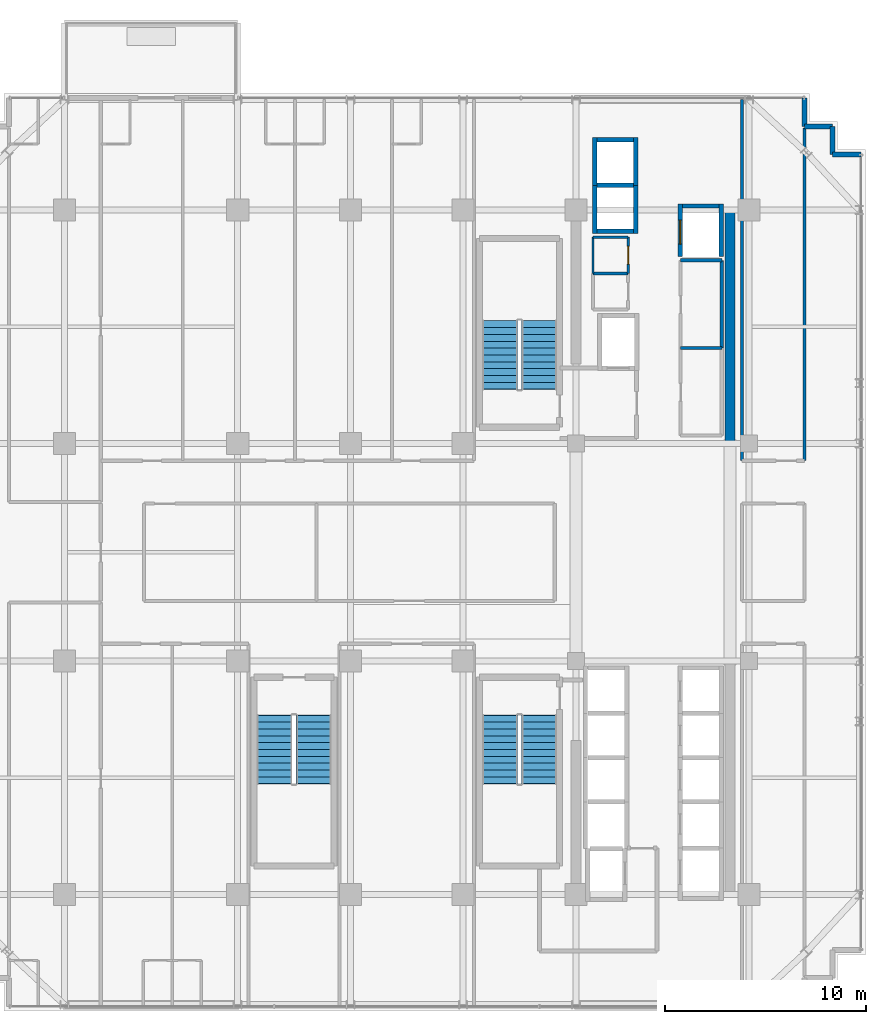
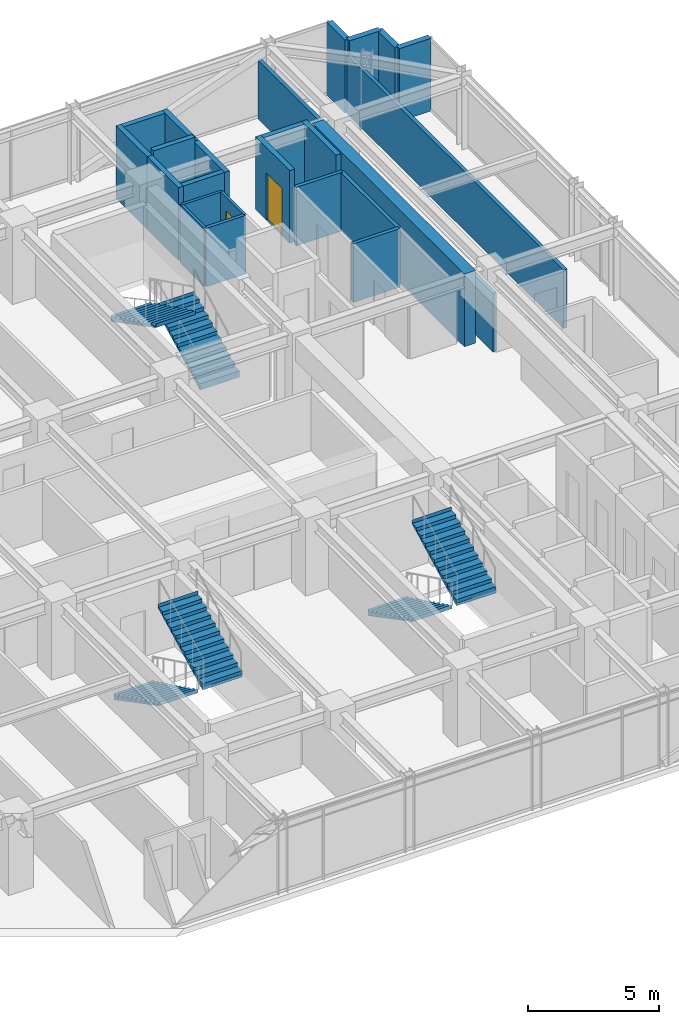
# One storey, part 29 of 32: 24 walls, 6 stair flights, 2 doors, 2 openings, 3 elements without a shape of their own.
"""IFC4 building model written with IfcOpenShell, lengths in metres."""

from ifc_helpers import new_model, si_unit, direction, frame, frame_2d, origin, place, context, subcontext, project, spatial, polyline, rectangle, outline, extrude, source, transform, mapped, material, layer, layer_set, type_object, element, fill, aggregate, save


model = new_model("IFC4")

# Units and contexts
model_context = context("Model", 3, precision=1e-05, world=origin(), true_north=direction((0.0, 1.0)))
body_context = subcontext(model_context, "Body", "Model", "MODEL_VIEW")
ifc_project = project(units=[si_unit("LENGTHUNIT", "METRE"), si_unit("AREAUNIT", "SQUARE_METRE"), si_unit("VOLUMEUNIT", "CUBIC_METRE"), si_unit("PLANEANGLEUNIT", "RADIAN"), si_unit("MASSUNIT", "GRAM", prefix="KILO")], contexts=[model_context])

# Site, building, storey
site_placement = place(None, origin())
site = spatial("IfcSite", under=ifc_project, at=site_placement, CompositionType="ELEMENT")
building_placement = place(site_placement, origin())
building = spatial("IfcBuilding", under=site, at=building_placement, Name="Nahalor Promenade Grand Hotel", CompositionType="ELEMENT")
storey_placement = place(building_placement, frame((0.0, 0.0, 152.64990234375)))
storey = spatial("IfcBuildingStorey", under=building, at=storey_placement, Name="L38", CompositionType="ELEMENT", Elevation=152.64990234375)

# Walls
ifc_material_1 = material(Name="Concrete B-60 (C50/60)", Category="concrete")
ifc_layer_1 = layer(ifc_material_1, 0.5)
ifc_layer_set_1 = layer_set([ifc_layer_1], Name="Concrete B-60 (C50/60)")
wall_type_1 = type_object("IfcWallType", Name="Wall-CoreShear-500", PredefinedType="SHEAR", material=ifc_layer_set_1)
shared_shape_1 = source(origin(), body_context, "Body", "SweptSolid", [
    extrude(rectangle(XDim=11.60009765625, YDim=0.5, at=frame_2d((5.800048828125, 0.0))), origin(), (0.0, 0.0, 1.0), 3.39013671875),
])
wall_1_placement = place(storey_placement, frame((16.050048828125, 5.39990234375, 0.0), z_axis=(0.0, 0.0, 1.0), x_axis=(0.0, 1.0, 0.0)))
element("IfcWall", 1, at=wall_1_placement, inside=storey, type_object=wall_type_1, Name="CWALL-L38-NE", PredefinedType="SHEAR", context=body_context, shape_type="MappedRepresentation", body=[
    mapped(shared_shape_1, transform((0.0, 0.0, 0.0), scale=1.0)),
])
ifc_material_2 = material(Name="Concrete B-50 (C40/50)", Category="concrete")
ifc_layer_2 = layer(ifc_material_2, 0.219970703125)
ifc_layer_set_2 = layer_set([ifc_layer_2], Name="Concrete B-50 (C40/50)")
wall_type_2 = type_object("IfcWallType", Name="Wall-LiftShaft-220", PredefinedType="SHEAR", material=ifc_layer_set_2)
shared_shape_2 = source(origin(), body_context, "Body", "SweptSolid", [
    extrude(rectangle(XDim=1.820068359375, YDim=0.219970703125, at=frame_2d((0.91015625, 0.0))), origin(), (0.0, 0.0, 1.0), 3.650146484375),
])
wall_2_placement = place(storey_placement, frame((9.43994140625, 18.22509765625, 0.0), z_axis=(0.0, 0.0, 1.0), x_axis=(1.0, 0.0, 0.0)))
element("IfcWall", 2, at=wall_2_placement, inside=storey, type_object=wall_type_2, Name="L38 Lift OB1 Hoistway Wall N", PredefinedType="SHEAR", context=body_context, shape_type="MappedRepresentation", body=[
    mapped(shared_shape_2, transform((0.0, 0.0, 0.0), scale=1.0)),
])
shared_shape_3 = source(origin(), body_context, "Body", "SweptSolid", [
    extrude(rectangle(XDim=1.820068359375, YDim=0.219970703125, at=frame_2d((0.91015625, 0.0))), origin(), (0.0, 0.0, 1.0), 3.39013671875),
])
for number, where, z_axis, x_axis, name in (
    (3, (9.43994140625, 15.949951171875, 0.0), (0.0, 0.0, 1.0), (1.0, 0.0, 0.0), "L38 Lift OB1 Hoistway Wall S"),
    (4, (9.43994140625, 20.5, 0.0), (0.0, 0.0, 1.0), (1.0, 0.0, 0.0), "L38 Lift OB2 Hoistway Wall N"),
    (5, (13.68994140625, 17.199951171875, 0.0), (0.0, 0.0, 1.0), (1.0, 0.0, 0.0), "L38 Lift SV1 Hoistway Wall N"),
):
    element("IfcWall", number, at=place(storey_placement, frame(where, z_axis=z_axis, x_axis=x_axis)), inside=storey, type_object=wall_type_2, Name=name, PredefinedType="SHEAR", context=body_context, shape_type="MappedRepresentation", body=[
        mapped(shared_shape_3, transform((0.0, 0.0, 0.0), scale=1.0)),
    ])
shared_shape_4 = source(origin(), body_context, "Body", "SweptSolid", [
    extrude(rectangle(XDim=2.385009765625, YDim=0.219970703125, at=frame_2d((1.1923828125, 0.0))), origin(), (0.0, 0.0, 1.0), 3.39013671875),
])
for number, where, z_axis, x_axis, name in (
    (6, (9.330078125, 15.840087890625, 0.0), (0.0, 0.0, 1.0), (0.0, 1.0, 0.0), "L38 Lift OB1 Hoistway Wall W"),
    (7, (11.3701171875, 15.840087890625, 0.0), (0.0, 0.0, 1.0), (0.0, 1.0, 0.0), "L38 Lift OB1 Hoistway Wall E"),
    (8, (9.330078125, 18.22509765625, 0.0), (0.0, 0.0, 1.0), (0.0, 1.0, 0.0), "L38 Lift OB2 Hoistway Wall W"),
    (9, (11.3701171875, 18.22509765625, 0.0), (0.0, 0.0, 1.0), (0.0, 1.0, 0.0), "L38 Lift OB2 Hoistway Wall E"),
):
    element("IfcWall", number, at=place(storey_placement, frame(where, z_axis=z_axis, x_axis=x_axis)), inside=storey, type_object=wall_type_2, Name=name, PredefinedType="SHEAR", context=body_context, shape_type="MappedRepresentation", body=[
        mapped(shared_shape_4, transform((0.0, 0.0, 0.0), scale=1.0)),
    ])

# Wall, opening, door
shared_shape_5 = source(origin(), body_context, "Body", "SweptSolid", [
    extrude(rectangle(XDim=2.610107421875, YDim=0.219970703125, at=frame_2d((1.30517578125, 0.0))), origin(), (0.0, 0.0, 1.0), 3.39013671875),
])
wall_3_placement = place(storey_placement, frame((13.580078125, 14.699951171875, 0.0), z_axis=(0.0, 0.0, 1.0), x_axis=(0.0, 1.0, 0.0)))
wall_3 = element("IfcWall", 10, at=wall_3_placement, inside=storey, type_object=wall_type_2, Name="L38 Lift SV1 Hoistway Wall W", PredefinedType="SHEAR", context=body_context, shape_type="MappedRepresentation", body=[
    mapped(shared_shape_5, transform((0.0, 0.0, 0.0), scale=1.0)),
])
opening_1_placement = place(wall_3_placement, frame((0.60009765625, 0.0, 0.0)))
opening_1 = element("IfcOpeningElement", 11, at=opening_1_placement, cuts=wall_3, Name="Opening LD-03", PredefinedType="OPENING", context=body_context, shape_type="SweptSolid", body=[
    extrude(rectangle(XDim=1.199951171875, YDim=2.199951171875, at=frame_2d((0.60009765625, 1.10009765625))), frame((0.0, 0.119873046875, 0.0), z_axis=(0.0, -1.0, 0.0), x_axis=(1.0, 0.0, 0.0)), (0.0, 0.0, 1.0), 0.239990234375),
])
ifc_material_3 = material(Name="Steel S355JR", Category="steel")
door_type_1 = type_object("IfcDoorType", Name="Door-LiftService-1200", OperationType="DOUBLE_DOOR_SLIDING", PredefinedType="DOOR", material=ifc_material_3)
shared_shape_6 = source(origin(), body_context, "Body", "SweptSolid", [
    extrude(rectangle(XDim=1.199951171875, YDim=2.199951171875, at=frame_2d((0.60009765625, 1.10009765625))), frame((0.0, 0.02490234375, 0.0), z_axis=(0.0, -1.0, 0.0), x_axis=(1.0, 0.0, 0.0)), (0.0, 0.0, 1.0), 0.050048828125),
])
door_1_placement = place(opening_1_placement, origin())
door_1 = element("IfcDoor", 12, at=door_1_placement, inside=storey, type_object=door_type_1, Name="DR-LIFT-SV1-L38", OperationType="DOUBLE_DOOR_SLIDING", OverallHeight=2.199951171875, OverallWidth=1.199951171875, PredefinedType="DOOR", context=body_context, shape_type="MappedRepresentation", body=[
    mapped(shared_shape_6, transform((0.0, 0.0, 0.0), scale=1.0)),
])
fill(opening_1, door_1)

# Walls
wall_4_placement = place(storey_placement, frame((15.6201171875, 14.699951171875, 0.0), z_axis=(0.0, 0.0, 1.0), x_axis=(0.0, 1.0, 0.0)))
element("IfcWall", 13, at=wall_4_placement, inside=storey, type_object=wall_type_2, Name="L38 Lift SV1 Hoistway Wall E", PredefinedType="SHEAR", context=body_context, shape_type="MappedRepresentation", body=[
    mapped(shared_shape_5, transform((0.0, 0.0, 0.0), scale=1.0)),
])
ifc_material_4 = material(Name="Concrete B-40 (C32/40)", Category="concrete")
ifc_layer_3 = layer(ifc_material_4, 0.25)
ifc_layer_set_3 = layer_set([ifc_layer_3], Name="Concrete B-40 (C32/40)")
wall_type_3 = type_object("IfcWallType", Name="Wall-BronzePier-250", PredefinedType="STANDARD", material=ifc_layer_set_3)
shared_shape_7 = source(origin(), body_context, "Body", "SweptSolid", [
    extrude(rectangle(XDim=1.400146484375, YDim=0.25, at=frame_2d((0.7001953125, 0.0))), origin(), (0.0, 0.0, 1.0), 3.39013671875),
])
for number, where, z_axis, x_axis, name in (
    (14, (21.159912109375, 19.760009765625, 0.0), (0.0, 0.0, 1.0), (1.0, 0.0, 0.0), "W-L38-SR-05"),
    (15, (19.760009765625, 21.159912109375, 0.0), (0.0, 0.0, 1.0), (0.0, 1.0, 0.0), "W-L38-SR-08"),
):
    element("IfcWall", number, at=place(storey_placement, frame(where, z_axis=z_axis, x_axis=x_axis)), inside=storey, type_object=wall_type_3, Name=name, PredefinedType="STANDARD", context=body_context, shape_type="MappedRepresentation", body=[
        mapped(shared_shape_7, transform((0.0, 0.0, 0.0), scale=1.0)),
    ])
shared_shape_8 = source(origin(), body_context, "Body", "SweptSolid", [
    extrude(rectangle(XDim=1.39990234375, YDim=0.25, at=frame_2d((0.699951171875, 0.0))), origin(), (0.0, 0.0, 1.0), 3.39013671875),
])
for number, where, z_axis, x_axis, name in (
    (16, (21.159912109375, 19.760009765625, 0.0), (0.0, 0.0, 1.0), (0.0, 1.0, 0.0), "W-L38-SR-06"),
    (17, (19.760009765625, 21.159912109375, 0.0), (0.0, 0.0, 1.0), (1.0, 0.0, 0.0), "W-L38-SR-07"),
):
    element("IfcWall", number, at=place(storey_placement, frame(where, z_axis=z_axis, x_axis=x_axis)), inside=storey, type_object=wall_type_3, Name=name, PredefinedType="STANDARD", context=body_context, shape_type="MappedRepresentation", body=[
        mapped(shared_shape_8, transform((0.0, 0.0, 0.0), scale=1.0)),
    ])
ifc_material_5 = material(Name="Acoustic Mineral Gypsum", Category="gypsum")
ifc_layer_4 = layer(ifc_material_5, 0.14990234375)
ifc_layer_set_4 = layer_set([ifc_layer_4], Name="Acoustic Mineral Gypsum")
wall_type_4 = type_object("IfcWallType", Name="Wall-PartService-150", PredefinedType="PARTITIONING", material=ifc_layer_set_4)
shared_shape_9 = source(origin(), body_context, "Body", "SweptSolid", [
    extrude(rectangle(XDim=1.75, YDim=0.14990234375, at=frame_2d((0.875, 0.0))), origin(), (0.0, 0.0, 1.0), 2.72998046875),
])
wall_5_placement = place(storey_placement, frame((9.25, 13.85009765625, 0.0), z_axis=(0.0, 0.0, 1.0), x_axis=(1.0, 0.0, 0.0)))
element("IfcWall", 18, at=wall_5_placement, inside=storey, type_object=wall_type_4, Name="W-L38-CK2A-N", PredefinedType="PARTITIONING", context=body_context, shape_type="MappedRepresentation", body=[
    mapped(shared_shape_9, transform((0.0, 0.0, 0.0), scale=1.0)),
])
ifc_layer_5 = layer(ifc_material_5, 0.159912109375)
ifc_layer_set_5 = layer_set([ifc_layer_5], Name="Acoustic Mineral Gypsum")
wall_type_5 = type_object("IfcWallType", Name="Wall-PartCorridor-160", PredefinedType="PARTITIONING", material=ifc_layer_set_5)
shared_shape_10 = source(origin(), body_context, "Body", "SweptSolid", [
    extrude(rectangle(XDim=2.0498046875, YDim=0.159912109375, at=frame_2d((1.02490234375, 0.0))), origin(), (0.0, 0.0, 1.0), 2.72998046875),
])
for number, where, z_axis, x_axis, name in (
    (19, (13.60009765625, 10.14990234375, 0.0), (0.0, 0.0, 1.0), (1.0, 0.0, 0.0), "W-L38-FRB1A-N"),
    (20, (13.60009765625, 14.5, 0.0), (0.0, 0.0, 1.0), (1.0, 0.0, 0.0), "W-L38-FRB1B-N"),
):
    element("IfcWall", number, at=place(storey_placement, frame(where, z_axis=z_axis, x_axis=x_axis)), inside=storey, type_object=wall_type_5, Name=name, PredefinedType="PARTITIONING", context=body_context, shape_type="MappedRepresentation", body=[
        mapped(shared_shape_10, transform((0.0, 0.0, 0.0), scale=1.0)),
    ])
shared_shape_11 = source(origin(), body_context, "Body", "SweptSolid", [
    extrude(rectangle(XDim=17.949951171875, YDim=0.159912109375, at=frame_2d((8.97509765625, 0.0))), origin(), (0.0, 0.0, 1.0), 2.72998046875),
])
wall_6_placement = place(storey_placement, frame((16.64990234375, 4.550048828125, 0.0), z_axis=(0.0, 0.0, 1.0), x_axis=(0.0, 1.0, 0.0)))
element("IfcWall", 21, at=wall_6_placement, inside=storey, type_object=wall_type_5, Name="W-L38-ENE-W", PredefinedType="PARTITIONING", context=body_context, shape_type="MappedRepresentation", body=[
    mapped(shared_shape_11, transform((0.0, 0.0, 0.0), scale=1.0)),
])
shared_shape_12 = source(origin(), body_context, "Body", "SweptSolid", [
    extrude(rectangle(XDim=16.530029296875, YDim=0.159912109375, at=frame_2d((8.26513671875, 0.0))), origin(), (0.0, 0.0, 1.0), 2.72998046875),
])
wall_7_placement = place(storey_placement, frame((19.760009765625, 4.550048828125, 0.0), z_axis=(0.0, 0.0, 1.0), x_axis=(0.0, 1.0, 0.0)))
element("IfcWall", 22, at=wall_7_placement, inside=storey, type_object=wall_type_5, Name="W-L38-ENE-E", PredefinedType="PARTITIONING", context=body_context, shape_type="MappedRepresentation", body=[
    mapped(shared_shape_12, transform((0.0, 0.0, 0.0), scale=1.0)),
])
ifc_layer_6 = layer(ifc_material_5, 0.1201171875)
ifc_layer_set_6 = layer_set([ifc_layer_6], Name="Acoustic Mineral Gypsum")
wall_type_6 = type_object("IfcWallType", Name="Wall-PartBath-120", PredefinedType="PARTITIONING", material=ifc_layer_set_6)
shared_shape_13 = source(origin(), body_context, "Body", "SweptSolid", [
    extrude(rectangle(XDim=1.75, YDim=0.1201171875, at=frame_2d((0.875, 0.0))), origin(), (0.0, 0.0, 1.0), 2.72998046875),
])
wall_8_placement = place(storey_placement, frame((9.25, 15.64990234375, 0.0), z_axis=(0.0, 0.0, 1.0), x_axis=(1.0, 0.0, 0.0)))
element("IfcWall", 23, at=wall_8_placement, inside=storey, type_object=wall_type_6, Name="W-L38-CK2B-N", PredefinedType="PARTITIONING", context=body_context, shape_type="MappedRepresentation", body=[
    mapped(shared_shape_13, transform((0.0, 0.0, 0.0), scale=1.0)),
])
shared_shape_14 = source(origin(), body_context, "Body", "SweptSolid", [
    extrude(rectangle(XDim=1.7998046875, YDim=0.1201171875, at=frame_2d((0.89990234375, 0.0))), origin(), (0.0, 0.0, 1.0), 2.72998046875),
])
wall_9_placement = place(storey_placement, frame((9.25, 13.85009765625, 0.0), z_axis=(0.0, 0.0, 1.0), x_axis=(0.0, 1.0, 0.0)))
element("IfcWall", 24, at=wall_9_placement, inside=storey, type_object=wall_type_6, Name="W-L38-CK2B-W", PredefinedType="PARTITIONING", context=body_context, shape_type="MappedRepresentation", body=[
    mapped(shared_shape_14, transform((0.0, 0.0, 0.0), scale=1.0)),
])

# Wall, opening, door
wall_10_placement = place(storey_placement, frame((11.0, 13.85009765625, 0.0), z_axis=(0.0, 0.0, 1.0), x_axis=(0.0, 1.0, 0.0)))
wall_10 = element("IfcWall", 25, at=wall_10_placement, inside=storey, type_object=wall_type_6, Name="W-L38-CK2B-E", PredefinedType="PARTITIONING", context=body_context, shape_type="MappedRepresentation", body=[
    mapped(shared_shape_14, transform((0.0, 0.0, 0.0), scale=1.0)),
])
opening_2_placement = place(wall_10_placement, frame((0.4599609375, 0.0, 0.0)))
opening_2 = element("IfcOpeningElement", 26, at=opening_2_placement, cuts=wall_10, Name="Opening D-03", PredefinedType="OPENING", context=body_context, shape_type="SweptSolid", body=[
    extrude(rectangle(XDim=0.8798828125, YDim=2.10009765625, at=frame_2d((0.43994140625, 1.050048828125))), frame((0.0, 0.070068359375, 0.0), z_axis=(0.0, -1.0, 0.0), x_axis=(1.0, 0.0, 0.0)), (0.0, 0.0, 1.0), 0.14013671875),
])
ifc_material_6 = material(Name="Fire-Rated Timber Composite", Category="wood")
door_type_2 = type_object("IfcDoorType", Name="Door-BathSwing-880", OperationType="NOTDEFINED", PredefinedType="DOOR", material=ifc_material_6)
shared_shape_15 = source(origin(), body_context, "Body", "SweptSolid", [
    extrude(rectangle(XDim=0.8798828125, YDim=2.10009765625, at=frame_2d((0.43994140625, 1.050048828125))), frame((0.0, 0.02490234375, 0.0), z_axis=(0.0, -1.0, 0.0), x_axis=(1.0, 0.0, 0.0)), (0.0, 0.0, 1.0), 0.050048828125),
])
door_2_placement = place(opening_2_placement, origin())
door_2 = element("IfcDoor", 27, at=door_2_placement, inside=storey, type_object=door_type_2, Name="DR-L38-CK2B", OperationType="SINGLE_SWING_RIGHT", OverallHeight=2.10009765625, OverallWidth=0.8798828125, PredefinedType="DOOR", context=body_context, shape_type="MappedRepresentation", body=[
    mapped(shared_shape_15, transform((0.0, 0.0, 0.0), scale=1.0)),
])
fill(opening_2, door_2)

# Wall
shared_shape_16 = source(origin(), body_context, "Body", "SweptSolid", [
    extrude(rectangle(XDim=4.35009765625, YDim=0.159912109375, at=frame_2d((2.175048828125, 0.0))), origin(), (0.0, 0.0, 1.0), 2.72998046875),
])
wall_11_placement = place(storey_placement, frame((15.64990234375, 10.14990234375, 0.0), z_axis=(0.0, 0.0, 1.0), x_axis=(0.0, 1.0, 0.0)))
element("IfcWall", 28, at=wall_11_placement, inside=storey, type_object=wall_type_5, Name="W-L38-FRB1B-E", PredefinedType="PARTITIONING", context=body_context, shape_type="MappedRepresentation", body=[
    mapped(shared_shape_16, transform((0.0, 0.0, 0.0), scale=1.0)),
])

# Stair, stair flights
stair_type_1 = type_object("IfcStairType", Name="Stair-ST1", PredefinedType="HALF_TURN_STAIR", material=ifc_material_2)
stair_1_placement = place(storey_placement, origin())
stair_1 = element("IfcStair", 29, at=stair_1_placement, inside=storey, type_object=stair_type_1, Name="L38 ST1", PredefinedType="HALF_TURN_STAIR")
ifc_layer_7 = layer(ifc_material_2, 0.179931640625)
ifc_layer_set_7 = layer_set([ifc_layer_7], Name="Concrete B-50 (C40/50)")
stair_flight_type_1 = type_object("IfcStairFlightType", Name="Flight-ST1", PredefinedType="STRAIGHT", material=ifc_layer_set_7)
shared_shape_17 = source(origin(), body_context, "Body", "SweptSolid", [
    extrude(outline(polyline([(-0.00390625, -0.1201171875), (-0.00390625, 0.0), (0.0, 0.0), (0.0, 0.166015625), (0.340087890625, 0.166015625), (0.340087890625, 0.331787109375), (0.679931640625, 0.331787109375), (0.679931640625, 0.497802734375), (1.02001953125, 0.497802734375), (1.02001953125, 0.66357421875), (1.360107421875, 0.66357421875), (1.360107421875, 0.82958984375), (1.699951171875, 0.82958984375), (1.699951171875, 0.995361328125), (2.0400390625, 0.995361328125), (2.0400390625, 1.161376953125), (2.3798828125, 1.161376953125), (2.3798828125, 1.327392578125), (2.719970703125, 1.327392578125), (2.719970703125, 1.4931640625), (3.06005859375, 1.4931640625), (3.06005859375, 1.6591796875), (3.39990234375, 1.6591796875), (3.39990234375, 1.824951171875), (3.404052734375, 1.824951171875), (3.404052734375, 1.64501953125), (0.02001953125, -0.1201171875), (-0.00390625, -0.1201171875)])), frame((0.0, 0.875, 0.0), z_axis=(0.0, -1.0, 0.0), x_axis=(1.0, 0.0, 0.0)), (0.0, 0.0, 1.0), 1.75),
])
stair_flight_1_placement = place(storey_placement, frame((6.574951171875, 8.10009765625, 0.0), z_axis=(0.0, 0.0, 1.0), x_axis=(0.0, 1.0, 0.0)))
stair_flight_1 = element("IfcStairFlight", 30, at=stair_flight_1_placement, type_object=stair_flight_type_1, Name="ST1 flight 1", NumberOfRisers=11, NumberOfTreads=10, PredefinedType="STRAIGHT", RiserHeight=0.165909091, TreadLength=0.34, context=body_context, shape_type="MappedRepresentation", body=[
    mapped(shared_shape_17, transform((0.0, 0.0, 0.0), scale=1.0)),
])
stair_flight_2_placement = place(storey_placement, frame((4.625, 11.5, 1.8251953125), z_axis=(0.0, 0.0, 1.0), x_axis=(0.0, -1.0, 0.0)))
stair_flight_2 = element("IfcStairFlight", 31, at=stair_flight_2_placement, type_object=stair_flight_type_1, Name="ST1 flight 2", NumberOfRisers=11, NumberOfTreads=10, PredefinedType="STRAIGHT", RiserHeight=0.165909091, TreadLength=0.34, context=body_context, shape_type="MappedRepresentation", body=[
    mapped(shared_shape_17, transform((0.0, 0.0, 0.0), scale=1.0)),
])
aggregate(stair_1, [stair_flight_1, stair_flight_2])

stair_type_2 = type_object("IfcStairType", Name="Stair-ST2", PredefinedType="HALF_TURN_STAIR", material=ifc_material_2)
stair_2_placement = place(storey_placement, origin())
stair_2 = element("IfcStair", 32, at=stair_2_placement, inside=storey, type_object=stair_type_2, Name="L38 ST2", PredefinedType="HALF_TURN_STAIR")
ifc_layer_8 = layer(ifc_material_2, 0.18994140625)
ifc_layer_set_8 = layer_set([ifc_layer_8], Name="Concrete B-50 (C40/50)")
stair_flight_type_2 = type_object("IfcStairFlightType", Name="Flight-ST2", PredefinedType="STRAIGHT", material=ifc_layer_set_8)
shared_shape_18 = source(origin(), body_context, "Body", "SweptSolid", [
    extrude(outline(polyline([(-0.00390625, -0.1201171875), (-0.00390625, 0.0), (0.0, 0.0), (0.0, 0.166015625), (0.340087890625, 0.166015625), (0.340087890625, 0.331787109375), (0.679931640625, 0.331787109375), (0.679931640625, 0.497802734375), (1.02001953125, 0.497802734375), (1.02001953125, 0.66357421875), (1.360107421875, 0.66357421875), (1.360107421875, 0.82958984375), (1.699951171875, 0.82958984375), (1.699951171875, 0.995361328125), (2.0400390625, 0.995361328125), (2.0400390625, 1.161376953125), (2.3798828125, 1.161376953125), (2.3798828125, 1.327392578125), (2.719970703125, 1.327392578125), (2.719970703125, 1.4931640625), (3.06005859375, 1.4931640625), (3.06005859375, 1.6591796875), (3.39990234375, 1.6591796875), (3.39990234375, 1.824951171875), (3.404052734375, 1.824951171875), (3.404052734375, 1.64501953125), (0.02001953125, -0.1201171875), (-0.00390625, -0.1201171875)])), frame((0.0, 0.875, 0.0), z_axis=(0.0, -1.0, 0.0), x_axis=(1.0, 0.0, 0.0)), (0.0, 0.0, 1.0), 1.75),
])
stair_flight_3_placement = place(storey_placement, frame((4.625, -8.10009765625, 0.0), z_axis=(0.0, 0.0, 1.0), x_axis=(0.0, -1.0, 0.0)))
stair_flight_3 = element("IfcStairFlight", 33, at=stair_flight_3_placement, type_object=stair_flight_type_2, Name="ST2 flight 1", NumberOfRisers=11, NumberOfTreads=10, PredefinedType="STRAIGHT", RiserHeight=0.165909091, TreadLength=0.34, context=body_context, shape_type="MappedRepresentation", body=[
    mapped(shared_shape_18, transform((0.0, 0.0, 0.0), scale=1.0)),
])
stair_flight_4_placement = place(storey_placement, frame((6.574951171875, -11.5, 1.8251953125), z_axis=(0.0, 0.0, 1.0), x_axis=(0.0, 1.0, 0.0)))
stair_flight_4 = element("IfcStairFlight", 34, at=stair_flight_4_placement, type_object=stair_flight_type_2, Name="ST2 flight 2", NumberOfRisers=11, NumberOfTreads=10, PredefinedType="STRAIGHT", RiserHeight=0.165909091, TreadLength=0.34, context=body_context, shape_type="MappedRepresentation", body=[
    mapped(shared_shape_18, transform((0.0, 0.0, 0.0), scale=1.0)),
])
aggregate(stair_2, [stair_flight_3, stair_flight_4])

stair_type_3 = type_object("IfcStairType", Name="Stair-ST3", PredefinedType="HALF_TURN_STAIR", material=ifc_material_2)
stair_3_placement = place(storey_placement, origin())
stair_3 = element("IfcStair", 35, at=stair_3_placement, inside=storey, type_object=stair_type_3, Name="L38 ST3", PredefinedType="HALF_TURN_STAIR")
ifc_layer_9 = layer(ifc_material_2, 0.199951171875)
ifc_layer_set_9 = layer_set([ifc_layer_9], Name="Concrete B-50 (C40/50)")
stair_flight_type_3 = type_object("IfcStairFlightType", Name="Flight-ST3", PredefinedType="STRAIGHT", material=ifc_layer_set_9)
shared_shape_19 = source(origin(), body_context, "Body", "SweptSolid", [
    extrude(outline(polyline([(-0.00390625, -0.1201171875), (-0.00390625, 0.0), (0.0, 0.0), (0.0, 0.166015625), (0.340087890625, 0.166015625), (0.340087890625, 0.331787109375), (0.679931640625, 0.331787109375), (0.679931640625, 0.497802734375), (1.02001953125, 0.497802734375), (1.02001953125, 0.66357421875), (1.360107421875, 0.66357421875), (1.360107421875, 0.82958984375), (1.699951171875, 0.82958984375), (1.699951171875, 0.995361328125), (2.0400390625, 0.995361328125), (2.0400390625, 1.161376953125), (2.3798828125, 1.161376953125), (2.3798828125, 1.327392578125), (2.719970703125, 1.327392578125), (2.719970703125, 1.4931640625), (3.06005859375, 1.4931640625), (3.06005859375, 1.6591796875), (3.39990234375, 1.6591796875), (3.39990234375, 1.824951171875), (3.404052734375, 1.824951171875), (3.404052734375, 1.64501953125), (0.02001953125, -0.1201171875), (-0.00390625, -0.1201171875)])), frame((0.0, 0.875, 0.0), z_axis=(0.0, -1.0, 0.0), x_axis=(1.0, 0.0, 0.0)), (0.0, 0.0, 1.0), 1.75),
])
stair_flight_5_placement = place(storey_placement, frame((-6.574951171875, -8.10009765625, 0.0), z_axis=(0.0, 0.0, 1.0), x_axis=(0.0, -1.0, 0.0)))
stair_flight_5 = element("IfcStairFlight", 36, at=stair_flight_5_placement, type_object=stair_flight_type_3, Name="ST3 flight 1", NumberOfRisers=11, NumberOfTreads=10, PredefinedType="STRAIGHT", RiserHeight=0.165909091, TreadLength=0.34, context=body_context, shape_type="MappedRepresentation", body=[
    mapped(shared_shape_19, transform((0.0, 0.0, 0.0), scale=1.0)),
])
stair_flight_6_placement = place(storey_placement, frame((-4.625, -11.5, 1.8251953125), z_axis=(0.0, 0.0, 1.0), x_axis=(0.0, 1.0, 0.0)))
stair_flight_6 = element("IfcStairFlight", 37, at=stair_flight_6_placement, type_object=stair_flight_type_3, Name="ST3 flight 2", NumberOfRisers=11, NumberOfTreads=10, PredefinedType="STRAIGHT", RiserHeight=0.165909091, TreadLength=0.34, context=body_context, shape_type="MappedRepresentation", body=[
    mapped(shared_shape_19, transform((0.0, 0.0, 0.0), scale=1.0)),
])
aggregate(stair_3, [stair_flight_5, stair_flight_6])

save(model, "model.ifc")
